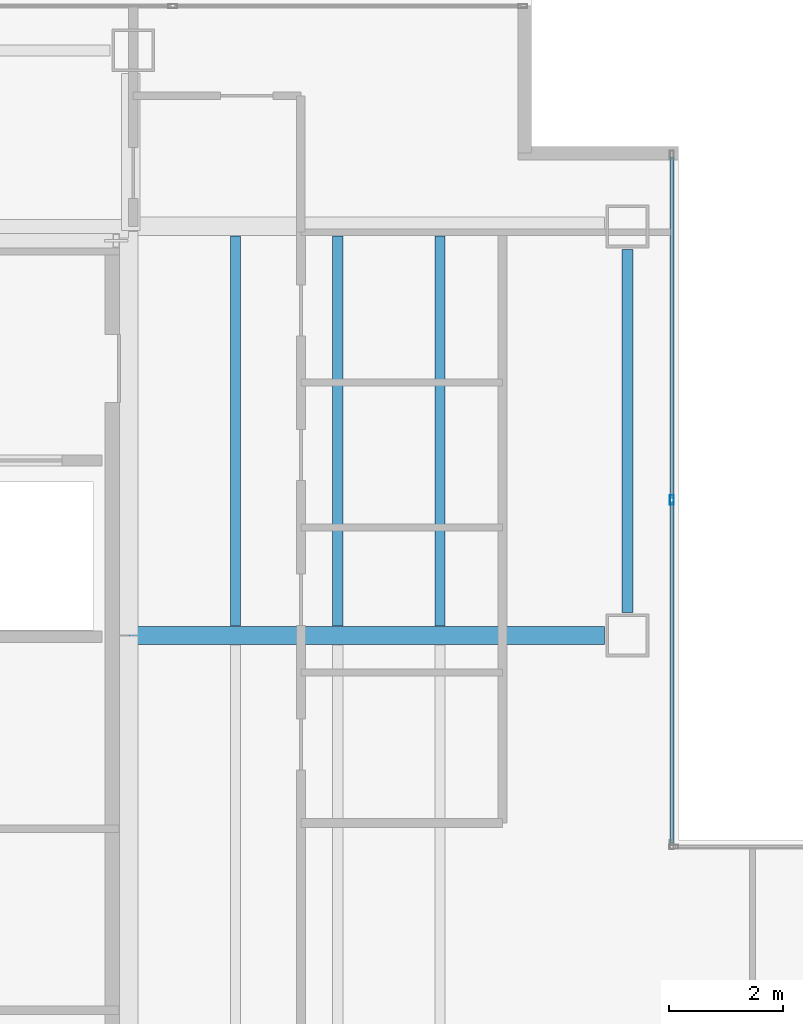
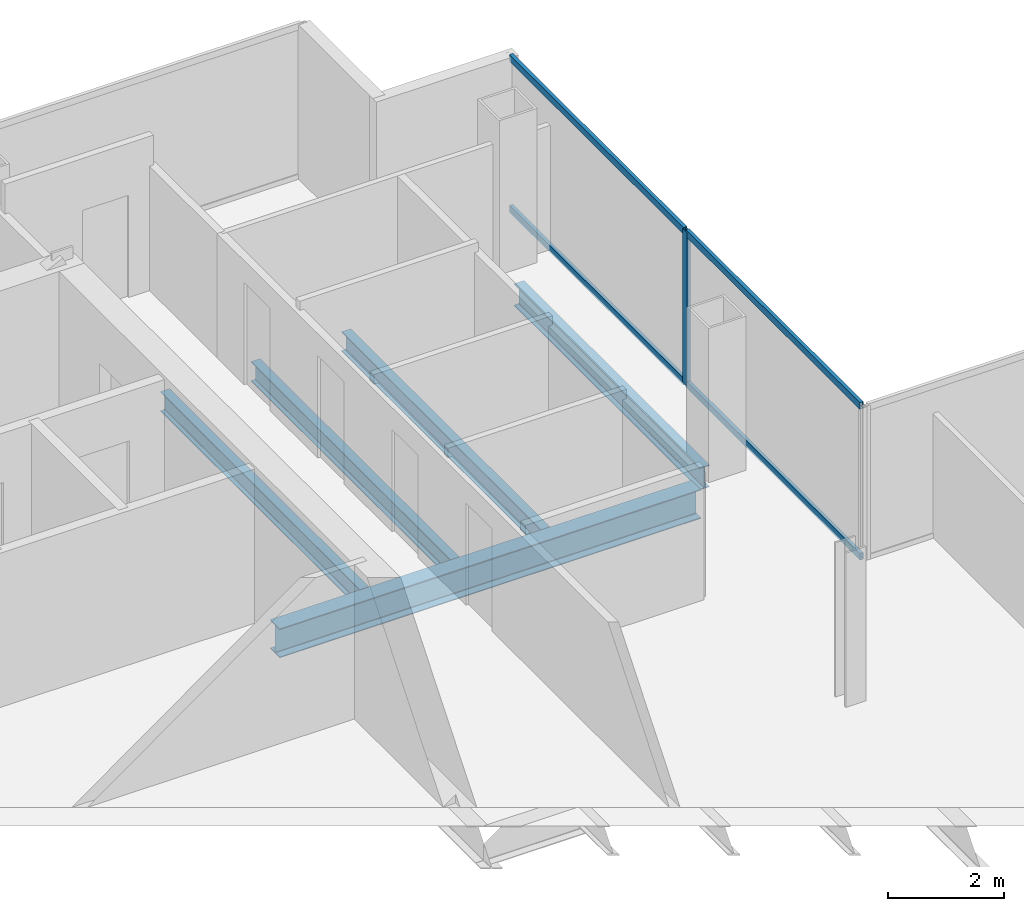
# One storey, part 9 of 23: 5 beams, 5 members, 1 element without a shape of its own.
"""IFC4 building model written with IfcOpenShell, lengths in metres."""

from ifc_helpers import new_model, si_unit, direction, frame, origin, origin_2d, place, context, subcontext, project, spatial, hollow_rectangle, i_section, extrude, material, material_profile, profile_set, type_object, element, aggregate, save


model = new_model("IFC4")

# Units and contexts
model_context = context("Model", 3, precision=1e-05, world=origin(), true_north=direction((0.0, 1.0)))
body_context = subcontext(model_context, "Body", "Model", "MODEL_VIEW")
ifc_project = project(units=[si_unit("LENGTHUNIT", "METRE"), si_unit("AREAUNIT", "SQUARE_METRE"), si_unit("VOLUMEUNIT", "CUBIC_METRE"), si_unit("PLANEANGLEUNIT", "RADIAN"), si_unit("MASSUNIT", "GRAM", prefix="KILO")], contexts=[model_context])

# Site, building, storey
site_placement = place(None, origin())
site = spatial("IfcSite", under=ifc_project, at=site_placement, CompositionType="ELEMENT")
building_placement = place(site_placement, origin())
building = spatial("IfcBuilding", under=site, at=building_placement, Name="Cobrela Telecom Tower", CompositionType="ELEMENT")
storey_placement = place(building_placement, frame((0.0, 0.0, 201.25)))
storey = spatial("IfcBuildingStorey", under=building, at=storey_placement, Name="L51", CompositionType="ELEMENT", Elevation=201.25)

# Beams
ifc_material_1 = material(Name="Steel ASTM A992 Grade 50", Category="steel")
ifc_material_profile_1 = material_profile(ifc_material_1, i_section(OverallWidth=0.324951171875, OverallDepth=0.612060546875, WebThickness=0.0126953125, FlangeThickness=0.01904296875, FilletRadius=0.014892578125, at=origin_2d()), Name="W24X104")
ifc_profile_set_1 = profile_set([ifc_material_profile_1], Name="Steel ASTM A992 Grade 50")
beam_type_1 = type_object("IfcBeamType", Name="BM-GIRD-07", PredefinedType="USERDEFINED", material=ifc_profile_set_1)
beam_1_placement = place(storey_placement, frame((14.324951171875, 28.800048828125, -0.56591796875), z_axis=(1.0, 0.0, 0.0), x_axis=(0.0, 1.0, 0.0)))
element("IfcBeam", 1, at=beam_1_placement, inside=storey, type_object=beam_type_1, Name="L51 Primary Girder X19", ObjectType="GIRDER", PredefinedType="USERDEFINED", context=body_context, shape_type="SweptSolid", body=[
    extrude(i_section(OverallWidth=0.324951171875, OverallDepth=0.612060546875, WebThickness=0.0126953125, FlangeThickness=0.01904296875, FilletRadius=0.014892578125, at=origin_2d()), origin(), (0.0, 0.0, 1.0), 8.3701171875),
])
ifc_material_profile_2 = material_profile(ifc_material_1, i_section(OverallWidth=0.179931640625, OverallDepth=0.4169921875, WebThickness=0.010986328125, FlangeThickness=0.01806640625, FilletRadius=0.011962890625, at=origin_2d()), Name="W16X57")
ifc_profile_set_2 = profile_set([ifc_material_profile_2], Name="Steel ASTM A992 Grade 50")
beam_type_2 = type_object("IfcBeamType", Name="BM-JOIST-04", PredefinedType="JOIST", material=ifc_profile_set_2)
for number, where, z_axis, x_axis, name in (
    (2, (16.199951171875, 28.967529296875, -0.468505859375), (0.0, 1.0, 0.0), (-1.0, 0.0, 0.0), "L51 Secondary Composite Floor Beam J04"),
    (3, (18.0, 28.967529296875, -0.468505859375), (0.0, 1.0, 0.0), (-1.0, 0.0, 0.0), "L51 Secondary Composite Floor Beam J08"),
    (4, (19.800048828125, 28.967529296875, -0.468505859375), (0.0, 1.0, 0.0), (-1.0, 0.0, 0.0), "L51 Secondary Composite Floor Beam J12"),
):
    element("IfcBeam", number, at=place(storey_placement, frame(where, z_axis=z_axis, x_axis=x_axis)), inside=storey, type_object=beam_type_2, Name=name, PredefinedType="JOIST", context=body_context, shape_type="SweptSolid", body=[
        extrude(i_section(OverallWidth=0.179931640625, OverallDepth=0.4169921875, WebThickness=0.010986328125, FlangeThickness=0.01806640625, FilletRadius=0.011962890625, at=origin_2d()), origin(), (0.0, 0.0, 1.0), 6.864990234375),
    ])
ifc_material_profile_3 = material_profile(ifc_material_1, i_section(OverallWidth=0.193115234375, OverallDepth=0.467041015625, WebThickness=0.011474609375, FlangeThickness=0.01904296875, FilletRadius=0.012939453125, at=origin_2d()), Name="W18X65")
ifc_profile_set_3 = profile_set([ifc_material_profile_3], Name="Steel ASTM A992 Grade 50")
beam_type_3 = type_object("IfcBeamType", Name="BM-SPAND-05", PredefinedType="SPANDREL", material=ifc_profile_set_3)
beam_2_placement = place(storey_placement, frame((23.10009765625, 29.205078125, -0.493408203125), z_axis=(0.0, 1.0, 0.0), x_axis=(-1.0, 0.0, 0.0)))
element("IfcBeam", 5, at=beam_2_placement, inside=storey, type_object=beam_type_3, Name="L51 Perimeter Spandrel Y35", PredefinedType="SPANDREL", context=body_context, shape_type="SweptSolid", body=[
    extrude(i_section(OverallWidth=0.193115234375, OverallDepth=0.467041015625, WebThickness=0.011474609375, FlangeThickness=0.01904296875, FilletRadius=0.012939453125, at=origin_2d()), origin(), (0.0, 0.0, 1.0), 6.389892578125),
])

# Curtain wall, members
ifc_material_2 = material(Name="Anodized Bronze Aluminium 6063-T6", Category="aluminium")
curtain_wall_type = type_object("IfcCurtainWallType", Name="CW-SYS-OFF-LO", PredefinedType="USERDEFINED", material=ifc_material_2)
curtain_wall_placement = place(storey_placement, origin())
curtain_wall = element("IfcCurtainWall", 6, at=curtain_wall_placement, inside=storey, type_object=curtain_wall_type, Name="L51 Unitised Bronze Curtain Wall 10", ObjectType="UNITISED CURTAIN WALL", PredefinedType="USERDEFINED")
ifc_material_profile_4 = material_profile(ifc_material_2, hollow_rectangle(XDim=0.070068359375, YDim=0.159912109375, WallThickness=0.00390625, at=origin_2d()), Name="ALU 70x160x4")
ifc_profile_set_4 = profile_set([ifc_material_profile_4], Name="Anodized Bronze Aluminium 6063-T6")
member_type_1 = type_object("IfcMemberType", Name="CW-SYS-OFF-LO-MUL", PredefinedType="MULLION", material=ifc_profile_set_4)
member_1_placement = place(storey_placement, frame((23.8798828125, 31.18505859375, 0.0), z_axis=(0.0, 0.0, 1.0), x_axis=(1.0, 0.0, 0.0)))
member_1 = element("IfcMember", 7, at=member_1_placement, type_object=member_type_1, Name="CW-OFF-LO mullion 2", PredefinedType="MULLION", context=body_context, shape_type="SweptSolid", body=[
    extrude(hollow_rectangle(XDim=0.070068359375, YDim=0.159912109375, WallThickness=0.00390625, at=origin_2d()), origin(), (0.0, 0.0, 1.0), 3.239990234375),
])
ifc_material_profile_5 = material_profile(ifc_material_2, hollow_rectangle(XDim=0.070068359375, YDim=0.139892578125, WallThickness=0.00390625, at=origin_2d()), Name="ALU 70x140x4")
ifc_profile_set_5 = profile_set([ifc_material_profile_5], Name="Anodized Bronze Aluminium 6063-T6")
member_type_2 = type_object("IfcMemberType", Name="CW-SYS-OFF-LO-TRN", PredefinedType="USERDEFINED", material=ifc_profile_set_5)
member_2_placement = place(storey_placement, frame((23.8798828125, 37.219970703125, 0.034912109375), z_axis=(0.0, -1.0, 0.0), x_axis=(1.0, 0.0, 0.0)))
member_2 = element("IfcMember", 8, at=member_2_placement, type_object=member_type_2, Name="CW-OFF-LO transom 1.1", ObjectType="TRANSOM", PredefinedType="USERDEFINED", context=body_context, shape_type="SweptSolid", body=[
    extrude(hollow_rectangle(XDim=0.070068359375, YDim=0.139892578125, WallThickness=0.00390625, at=origin_2d()), origin(), (0.0, 0.0, 1.0), 6.0),
])
member_3_placement = place(storey_placement, frame((23.8798828125, 37.219970703125, 3.205078125), z_axis=(0.0, -1.0, 0.0), x_axis=(1.0, 0.0, 0.0)))
member_3 = element("IfcMember", 9, at=member_3_placement, type_object=member_type_2, Name="CW-OFF-LO transom 1.2", ObjectType="TRANSOM", PredefinedType="USERDEFINED", context=body_context, shape_type="SweptSolid", body=[
    extrude(hollow_rectangle(XDim=0.070068359375, YDim=0.139892578125, WallThickness=0.00390625, at=origin_2d()), origin(), (0.0, 0.0, 1.0), 6.0),
])
member_4_placement = place(storey_placement, frame((23.8798828125, 31.14990234375, 0.034912109375), z_axis=(0.0, -1.0, 0.0), x_axis=(1.0, 0.0, 0.0)))
member_4 = element("IfcMember", 10, at=member_4_placement, type_object=member_type_2, Name="CW-OFF-LO transom 2.1", ObjectType="TRANSOM", PredefinedType="USERDEFINED", context=body_context, shape_type="SweptSolid", body=[
    extrude(hollow_rectangle(XDim=0.070068359375, YDim=0.139892578125, WallThickness=0.00390625, at=origin_2d()), origin(), (0.0, 0.0, 1.0), 6.0),
])
member_5_placement = place(storey_placement, frame((23.8798828125, 31.14990234375, 3.205078125), z_axis=(0.0, -1.0, 0.0), x_axis=(1.0, 0.0, 0.0)))
member_5 = element("IfcMember", 11, at=member_5_placement, type_object=member_type_2, Name="CW-OFF-LO transom 2.2", ObjectType="TRANSOM", PredefinedType="USERDEFINED", context=body_context, shape_type="SweptSolid", body=[
    extrude(hollow_rectangle(XDim=0.070068359375, YDim=0.139892578125, WallThickness=0.00390625, at=origin_2d()), origin(), (0.0, 0.0, 1.0), 6.0),
])
aggregate(curtain_wall, [member_1, member_2, member_3, member_4, member_5])

save(model, "model.ifc")
